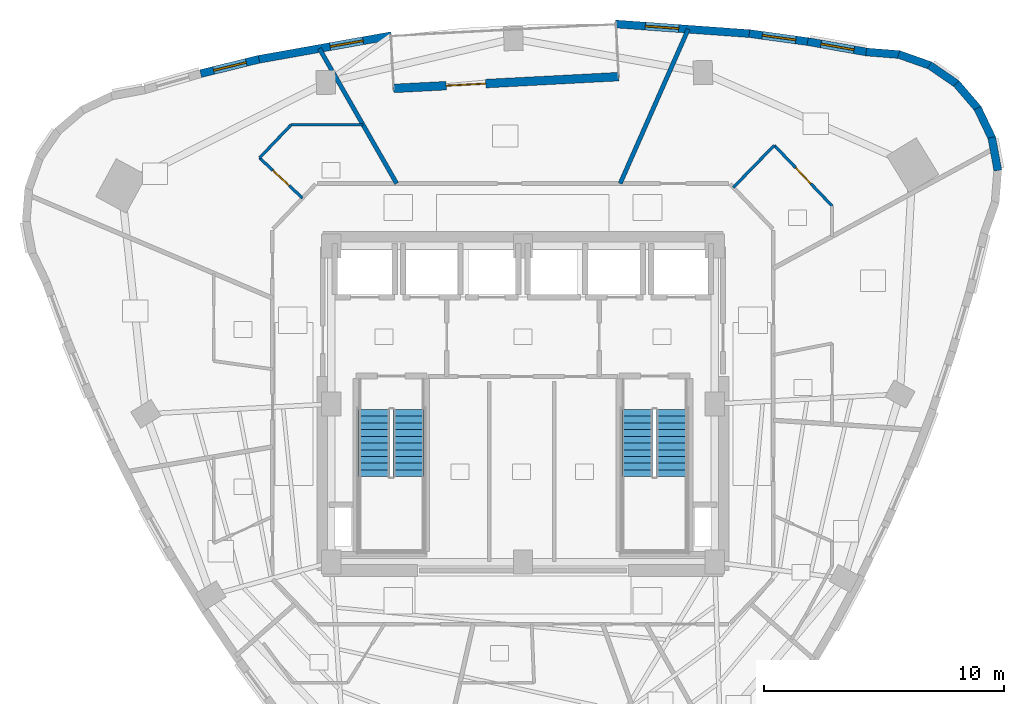
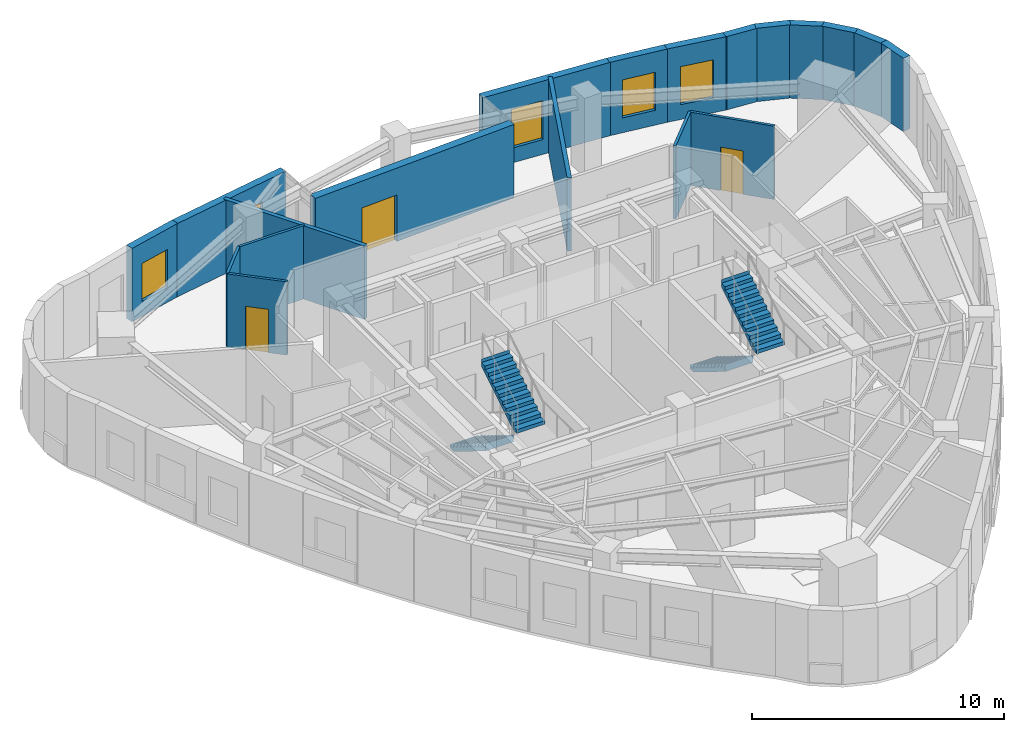
# One storey, part 8 of 11: 19 walls, 5 windows, 4 stair flights, 3 doors, 8 openings, 2 elements without a shape of their own.
"""IFC4 building model written with IfcOpenShell, lengths in metres."""

from ifc_helpers import new_model, si_unit, direction, frame, frame_2d, origin, place, context, subcontext, project, spatial, polyline, rectangle, outline, extrude, material, layer, layer_set, type_object, element, fill, aggregate, save


model = new_model("IFC4")

# Units and contexts
model_context = context("Model", 3, precision=1e-05, world=origin(), true_north=direction((0.0, 1.0)))
body_context = subcontext(model_context, "Body", "Model", "MODEL_VIEW")
ifc_project = project(units=[si_unit("LENGTHUNIT", "METRE"), si_unit("AREAUNIT", "SQUARE_METRE"), si_unit("VOLUMEUNIT", "CUBIC_METRE"), si_unit("PLANEANGLEUNIT", "RADIAN"), si_unit("MASSUNIT", "GRAM", prefix="KILO")], contexts=[model_context])

# Site, building, storey
site_placement = place(None, origin())
site = spatial("IfcSite", under=ifc_project, at=site_placement, CompositionType="ELEMENT")
building_placement = place(site_placement, origin())
building = spatial("IfcBuilding", under=site, at=building_placement, Name="Ndelora Gate Hotel", CompositionType="ELEMENT")
storey_placement = place(building_placement, frame((0.0, 0.0, 216.949951171875)))
storey = spatial("IfcBuildingStorey", under=building, at=storey_placement, Name="L54", CompositionType="ELEMENT", Elevation=216.949951171875)

# Walls
ifc_material_1 = material(Name="Acoustic Double-Stud Gypsum Assembly", Category="gypsum")
ifc_layer_1 = layer(ifc_material_1, 0.179931640625)
ifc_layer_set_1 = layer_set([ifc_layer_1], Name="Acoustic Double-Stud Gypsum Assembly")
wall_type_1 = type_object("IfcWallType", Name="WL-ACOUST-180", PredefinedType="PARTITIONING", material=ifc_layer_set_1)
wall_1_placement = place(storey_placement, frame((4.056884765625, 9.199951171875, 0.0), z_axis=(0.0, 0.0, 1.0), x_axis=(0.403480435419, 0.914988272184, 0.0)))
element("IfcWall", 1, at=wall_1_placement, inside=storey, type_object=wall_type_1, Name="L54 Interior Wall IW-3", PredefinedType="PARTITIONING", context=body_context, shape_type="SweptSolid", body=[
    extrude(rectangle(XDim=7.035400390625, YDim=0.179931640625, at=frame_2d((3.517578125, 0.0))), origin(), (0.0, 0.0, 1.0), 3.550048828125),
])
wall_2_placement = place(storey_placement, frame((-5.26806640625, 9.199951171875, 0.0), z_axis=(0.0, 0.0, 1.0), x_axis=(-0.496920769896, 0.867795914052, 0.0)))
element("IfcWall", 2, at=wall_2_placement, inside=storey, type_object=wall_type_1, Name="L54 Interior Wall IW-3", PredefinedType="PARTITIONING", context=body_context, shape_type="SweptSolid", body=[
    extrude(rectangle(XDim=6.48876953125, YDim=0.179931640625, at=frame_2d((3.244384765625, 0.0))), origin(), (0.0, 0.0, 1.0), 3.550048828125),
])
ifc_material_2 = material(Name="Clay Brick Masonry", Category="masonry")
ifc_layer_2 = layer(ifc_material_2, 0.330078125)
ifc_layer_set_2 = layer_set([ifc_layer_2], Name="Clay Brick Masonry")
wall_type_2 = type_object("IfcWallType", Name="WL-BRICK-330", PredefinedType="SOLIDWALL", material=ifc_layer_set_2)
for number, where, z_axis, x_axis, name in (
    (3, (19.5576171875, 11.12353515625, 0.0), (0.0, 0.0, 1.0), (0.182319094132, -0.983239415359, 0.0), "L54 Tower Brick Pier-and-Spandrel Wall TWR-43"),
    (4, (18.966796875, 12.3466796875, 0.0), (0.0, 0.0, 1.0), (0.430694266873, -0.902497893894, 0.0), "L54 Tower Brick Pier-and-Spandrel Wall TWR-44"),
    (5, (18.079833984375, 13.37548828125, 0.0), (0.0, 0.0, 1.0), (0.64941898982, -0.760430782952, 0.0), "L54 Tower Brick Pier-and-Spandrel Wall TWR-45"),
    (6, (16.956787109375, 14.1396484375, 0.0), (0.0, 0.0, 1.0), (0.824067227947, -0.566492015675, 0.0), "L54 Tower Brick Pier-and-Spandrel Wall TWR-46"),
):
    element("IfcWall", number, at=place(storey_placement, frame(where, z_axis=z_axis, x_axis=x_axis)), inside=storey, type_object=wall_type_2, Name=name, PredefinedType="SOLIDWALL", context=body_context, shape_type="SweptSolid", body=[
        extrude(rectangle(XDim=1.407470703125, YDim=0.330078125, at=frame_2d((0.70361328125, 0.0))), origin(), (0.0, 0.0, 1.0), 3.550048828125),
    ])
wall_3_placement = place(storey_placement, frame((15.674072265625, 14.5869140625, 0.0), z_axis=(0.0, 0.0, 1.0), x_axis=(0.942676111555, -0.333709077945, 0.0)))
element("IfcWall", 7, at=wall_3_placement, inside=storey, type_object=wall_type_2, Name="L54 Tower Brick Pier-and-Spandrel Wall TWR-47", PredefinedType="SOLIDWALL", context=body_context, shape_type="SweptSolid", body=[
    extrude(rectangle(XDim=1.40771484375, YDim=0.330078125, at=frame_2d((0.703857421875, 0.0))), origin(), (0.0, 0.0, 1.0), 3.550048828125),
])
wall_4_placement = place(storey_placement, frame((14.319580078125, 14.68701171875, 0.0), z_axis=(0.0, 0.0, 1.0), x_axis=(0.996907811278, -0.07857999626, 0.0)))
element("IfcWall", 8, at=wall_4_placement, inside=storey, type_object=wall_type_2, Name="L54 Tower Brick Pier-and-Spandrel Wall TWR-48", PredefinedType="SOLIDWALL", context=body_context, shape_type="SweptSolid", body=[
    extrude(rectangle(XDim=1.407470703125, YDim=0.330078125, at=frame_2d((0.70361328125, 0.0))), origin(), (0.0, 0.0, 1.0), 3.550048828125),
])

# Wall, opening, window
wall_5_placement = place(storey_placement, frame((11.87890625, 15.12158203125, 0.0), z_axis=(0.0, 0.0, 1.0), x_axis=(0.984681334456, -0.174363613102, 0.0)))
wall_5 = element("IfcWall", 9, at=wall_5_placement, inside=storey, type_object=wall_type_2, Name="L54 Tower Brick Pier-and-Spandrel Wall TWR-49", PredefinedType="SOLIDWALL", context=body_context, shape_type="SweptSolid", body=[
    extrude(rectangle(XDim=2.52880859375, YDim=0.330078125, at=frame_2d((1.264404296875, 0.0))), origin(), (0.0, 0.0, 1.0), 3.550048828125),
])
opening_1_placement = place(wall_5_placement, frame((0.564453125, 0.0, 0.719970703125)))
opening_1 = element("IfcOpeningElement", 10, at=opening_1_placement, cuts=wall_5, Name="Opening W02", PredefinedType="OPENING", context=body_context, shape_type="SweptSolid", body=[
    extrude(rectangle(XDim=1.39990234375, YDim=1.840087890625, at=frame_2d((0.699951171875, 0.919921875))), frame((0.0, 0.175048828125, 0.0), z_axis=(0.0, -1.0, 0.0), x_axis=(1.0, 0.0, 0.0)), (0.0, 0.0, 1.0), 0.35009765625),
])
ifc_material_3 = material(Name="Insulated Low-E Double Glazing in Bronze Aluminium Frame", Category="aluminium")
window_type = type_object("IfcWindowType", Name="WN-DEEP-1400", PartitioningType="SINGLE_PANEL", PredefinedType="WINDOW", material=ifc_material_3)
window_1_placement = place(opening_1_placement, origin())
window_1 = element("IfcWindow", 11, at=window_1_placement, inside=storey, type_object=window_type, Name="L54 Deep-Set Brick-Pier Window W02", OverallHeight=1.840087890625, OverallWidth=1.39990234375, PartitioningType="SINGLE_PANEL", PredefinedType="WINDOW", context=body_context, shape_type="SweptSolid", body=[
    extrude(rectangle(XDim=1.39990234375, YDim=1.840087890625, at=frame_2d((0.699951171875, 0.919921875))), frame((0.0, 0.030029296875, 0.0), z_axis=(0.0, -1.0, 0.0), x_axis=(1.0, 0.0, 0.0)), (0.0, 0.0, 1.0), 0.06005859375),
])
fill(opening_1, window_1)

wall_6_placement = place(storey_placement, frame((9.44287109375, 15.455810546875, 0.0), z_axis=(0.0, 0.0, 1.0), x_axis=(0.990662417066, -0.136337725571, 0.0)))
wall_6 = element("IfcWall", 12, at=wall_6_placement, inside=storey, type_object=wall_type_2, Name="L54 Tower Brick Pier-and-Spandrel Wall TWR-50", PredefinedType="SOLIDWALL", context=body_context, shape_type="SweptSolid", body=[
    extrude(rectangle(XDim=2.5087890625, YDim=0.330078125, at=frame_2d((1.25439453125, 0.0))), origin(), (0.0, 0.0, 1.0), 3.550048828125),
])
opening_2_placement = place(wall_6_placement, frame((0.554443359375, 0.0, 0.719970703125)))
opening_2 = element("IfcOpeningElement", 13, at=opening_2_placement, cuts=wall_6, Name="Opening W02", PredefinedType="OPENING", context=body_context, shape_type="SweptSolid", body=[
    extrude(rectangle(XDim=1.39990234375, YDim=1.840087890625, at=frame_2d((0.699951171875, 0.919921875))), frame((0.0, 0.175048828125, 0.0), z_axis=(0.0, -1.0, 0.0), x_axis=(1.0, 0.0, 0.0)), (0.0, 0.0, 1.0), 0.35009765625),
])
window_2_placement = place(opening_2_placement, origin())
window_2 = element("IfcWindow", 14, at=window_2_placement, inside=storey, type_object=window_type, Name="L54 Deep-Set Brick-Pier Window W02", OverallHeight=1.840087890625, OverallWidth=1.39990234375, PartitioningType="SINGLE_PANEL", PredefinedType="WINDOW", context=body_context, shape_type="SweptSolid", body=[
    extrude(rectangle(XDim=1.39990234375, YDim=1.840087890625, at=frame_2d((0.699951171875, 0.919921875))), frame((0.0, 0.030029296875, 0.0), z_axis=(0.0, -1.0, 0.0), x_axis=(1.0, 0.0, 0.0)), (0.0, 0.0, 1.0), 0.06005859375),
])
fill(opening_2, window_2)

wall_7_placement = place(storey_placement, frame((3.8505859375, 15.856201171875, 0.0), z_axis=(0.0, 0.0, 1.0), x_axis=(0.997423966596, -0.071731658697, 0.0)))
wall_7 = element("IfcWall", 15, at=wall_7_placement, inside=storey, type_object=wall_type_2, Name="L54 Tower Brick Pier-and-Spandrel Wall TWR-51", PredefinedType="SOLIDWALL", context=body_context, shape_type="SweptSolid", body=[
    extrude(rectangle(XDim=5.65673828125, YDim=0.330078125, at=frame_2d((2.828369140625, 0.0))), origin(), (0.0, 0.0, 1.0), 3.550048828125),
])
opening_3_placement = place(wall_7_placement, frame((1.260009765625, 0.0, 0.719970703125)))
opening_3 = element("IfcOpeningElement", 16, at=opening_3_placement, cuts=wall_7, Name="Opening W02", PredefinedType="OPENING", context=body_context, shape_type="SweptSolid", body=[
    extrude(rectangle(XDim=1.39990234375, YDim=1.8798828125, at=frame_2d((0.699951171875, 0.93994140625))), frame((0.0, 0.175048828125, 0.0), z_axis=(0.0, -1.0, 0.0), x_axis=(1.0, 0.0, 0.0)), (0.0, 0.0, 1.0), 0.35009765625),
])
window_3_placement = place(opening_3_placement, origin())
window_3 = element("IfcWindow", 17, at=window_3_placement, inside=storey, type_object=window_type, Name="L54 Deep-Set Brick-Pier Window W02", OverallHeight=1.8798828125, OverallWidth=1.39990234375, PartitioningType="SINGLE_PANEL", PredefinedType="WINDOW", context=body_context, shape_type="SweptSolid", body=[
    extrude(rectangle(XDim=1.39990234375, YDim=1.8798828125, at=frame_2d((0.699951171875, 0.93994140625))), frame((0.0, 0.030029296875, 0.0), z_axis=(0.0, -1.0, 0.0), x_axis=(1.0, 0.0, 0.0)), (0.0, 0.0, 1.0), 0.06005859375),
])
fill(opening_3, window_3)

wall_8_placement = place(storey_placement, frame((-11.0556640625, 14.37353515625, 0.0), z_axis=(0.0, 0.0, 1.0), x_axis=(0.984457704332, 0.17562183344, 0.0)))
wall_8 = element("IfcWall", 18, at=wall_8_placement, inside=storey, type_object=wall_type_2, Name="L54 Tower Brick Pier-and-Spandrel Wall TWR-56", PredefinedType="SOLIDWALL", context=body_context, shape_type="SweptSolid", body=[
    extrude(rectangle(XDim=5.656494140625, YDim=0.330078125, at=frame_2d((2.828125, 0.0))), origin(), (0.0, 0.0, 1.0), 3.550048828125),
])
opening_4_placement = place(wall_8_placement, frame((3.06005859375, 0.0, 0.719970703125)))
opening_4 = element("IfcOpeningElement", 19, at=opening_4_placement, cuts=wall_8, Name="Opening W02", PredefinedType="OPENING", context=body_context, shape_type="SweptSolid", body=[
    extrude(rectangle(XDim=1.39990234375, YDim=1.8798828125, at=frame_2d((0.699951171875, 0.93994140625))), frame((0.0, 0.175048828125, 0.0), z_axis=(0.0, -1.0, 0.0), x_axis=(1.0, 0.0, 0.0)), (0.0, 0.0, 1.0), 0.35009765625),
])
window_4_placement = place(opening_4_placement, origin())
window_4 = element("IfcWindow", 20, at=window_4_placement, inside=storey, type_object=window_type, Name="L54 Deep-Set Brick-Pier Window W02", OverallHeight=1.8798828125, OverallWidth=1.39990234375, PartitioningType="SINGLE_PANEL", PredefinedType="WINDOW", context=body_context, shape_type="SweptSolid", body=[
    extrude(rectangle(XDim=1.39990234375, YDim=1.8798828125, at=frame_2d((0.699951171875, 0.93994140625))), frame((0.0, 0.030029296875, 0.0), z_axis=(0.0, -1.0, 0.0), x_axis=(1.0, 0.0, 0.0)), (0.0, 0.0, 1.0), 0.06005859375),
])
fill(opening_4, window_4)

wall_9_placement = place(storey_placement, frame((-13.44287109375, 13.7841796875, 0.0), z_axis=(0.0, 0.0, 1.0), x_axis=(0.970995069754, 0.239099507555, 0.0)))
wall_9 = element("IfcWall", 21, at=wall_9_placement, inside=storey, type_object=wall_type_2, Name="L54 Tower Brick Pier-and-Spandrel Wall TWR-57", PredefinedType="SOLIDWALL", context=body_context, shape_type="SweptSolid", body=[
    extrude(rectangle(XDim=2.5087890625, YDim=0.330078125, at=frame_2d((1.25439453125, 0.0))), origin(), (0.0, 0.0, 1.0), 3.550048828125),
])
opening_5_placement = place(wall_9_placement, frame((0.554443359375, 0.0, 0.719970703125)))
opening_5 = element("IfcOpeningElement", 22, at=opening_5_placement, cuts=wall_9, Name="Opening W02", PredefinedType="OPENING", context=body_context, shape_type="SweptSolid", body=[
    extrude(rectangle(XDim=1.39990234375, YDim=1.840087890625, at=frame_2d((0.699951171875, 0.919921875))), frame((0.0, 0.175048828125, 0.0), z_axis=(0.0, -1.0, 0.0), x_axis=(1.0, 0.0, 0.0)), (0.0, 0.0, 1.0), 0.35009765625),
])
window_5_placement = place(opening_5_placement, origin())
window_5 = element("IfcWindow", 23, at=window_5_placement, inside=storey, type_object=window_type, Name="L54 Deep-Set Brick-Pier Window W02", OverallHeight=1.840087890625, OverallWidth=1.39990234375, PartitioningType="SINGLE_PANEL", PredefinedType="WINDOW", context=body_context, shape_type="SweptSolid", body=[
    extrude(rectangle(XDim=1.39990234375, YDim=1.840087890625, at=frame_2d((0.699951171875, 0.919921875))), frame((0.0, 0.030029296875, 0.0), z_axis=(0.0, -1.0, 0.0), x_axis=(1.0, 0.0, 0.0)), (0.0, 0.0, 1.0), 0.06005859375),
])
fill(opening_5, window_5)

# Wall, opening, door
ifc_layer_3 = layer(ifc_material_2, 0.360107421875)
ifc_layer_set_3 = layer_set([ifc_layer_3], Name="Clay Brick Masonry")
wall_type_3 = type_object("IfcWallType", Name="WL-BRICK-360", PredefinedType="SOLIDWALL", material=ifc_layer_set_3)
wall_10_placement = place(storey_placement, frame((-5.396484375, 13.16552734375, 0.0), z_axis=(0.0, 0.0, 1.0), x_axis=(0.998629642142, 0.052333907124, 0.0)))
wall_10 = element("IfcWall", 24, at=wall_10_placement, inside=storey, type_object=wall_type_3, Name="L54 Sky-Garden Loggia Rear Brick Wall", PredefinedType="SOLIDWALL", context=body_context, shape_type="SweptSolid", body=[
    extrude(rectangle(XDim=9.400146484375, YDim=0.360107421875, at=frame_2d((4.7001953125, 0.0))), origin(), (0.0, 0.0, 1.0), 3.550048828125),
])
opening_6_placement = place(wall_10_placement, frame((2.199951171875, 0.0, 0.0)))
opening_6 = element("IfcOpeningElement", 25, at=opening_6_placement, cuts=wall_10, Name="Opening TD1", PredefinedType="OPENING", context=body_context, shape_type="SweptSolid", body=[
    extrude(rectangle(XDim=1.64990234375, YDim=2.25, at=frame_2d((0.824951171875, 1.125))), frame((0.0, 0.18994140625, 0.0), z_axis=(0.0, -1.0, 0.0), x_axis=(1.0, 0.0, 0.0)), (0.0, 0.0, 1.0), 0.380126953125),
])
ifc_material_4 = material(Name="Architectural Bronze Glazed Door", Category="metal")
door_type_1 = type_object("IfcDoorType", Name="DR-TER-1650", OperationType="DOUBLE_DOOR_SINGLE_SWING", PredefinedType="DOOR", material=ifc_material_4)
door_1_placement = place(opening_6_placement, origin())
door_1 = element("IfcDoor", 26, at=door_1_placement, inside=storey, type_object=door_type_1, Name="L54 Sky-Garden Terrace Double Door TD1", OperationType="DOUBLE_DOOR_SINGLE_SWING", OverallHeight=2.25, OverallWidth=1.64990234375, PredefinedType="DOOR", context=body_context, shape_type="SweptSolid", body=[
    extrude(rectangle(XDim=1.64990234375, YDim=2.25, at=frame_2d((0.824951171875, 1.125))), frame((0.0, 0.02490234375, 0.0), z_axis=(0.0, -1.0, 0.0), x_axis=(1.0, 0.0, 0.0)), (0.0, 0.0, 1.0), 0.050048828125),
])
fill(opening_6, door_1)

# Wall
ifc_material_5 = material(Name="Moisture-Resistant Bathroom Tile Partition", Category="gypsum")
ifc_layer_4 = layer(ifc_material_5, 0.1201171875)
ifc_layer_set_4 = layer_set([ifc_layer_4], Name="Moisture-Resistant Bathroom Tile Partition")
wall_type_4 = type_object("IfcWallType", Name="WL-WET-120", PredefinedType="PARTITIONING", material=ifc_layer_set_4)
wall_11_placement = place(storey_placement, frame((10.486572265625, 10.79248046875, 0.0), z_axis=(0.0, 0.0, 1.0), x_axis=(-0.696876436114, -0.717191210759, 0.0)))
element("IfcWall", 27, at=wall_11_placement, inside=storey, type_object=wall_type_4, Name="L54 Interior Wall IW-7", PredefinedType="PARTITIONING", context=body_context, shape_type="SweptSolid", body=[
    extrude(rectangle(XDim=2.45166015625, YDim=0.1201171875, at=frame_2d((1.225830078125, 0.0))), origin(), (0.0, 0.0, 1.0), 3.550048828125),
])

# Wall, opening, door
wall_12_placement = place(storey_placement, frame((10.486572265625, 10.79248046875, 0.0), z_axis=(0.0, 0.0, 1.0), x_axis=(0.689942688038, -0.723863997739, 0.0)))
wall_12 = element("IfcWall", 28, at=wall_12_placement, inside=storey, type_object=wall_type_4, Name="L54 Interior Wall IW-7", PredefinedType="PARTITIONING", context=body_context, shape_type="SweptSolid", body=[
    extrude(rectangle(XDim=3.497802734375, YDim=0.1201171875, at=frame_2d((1.7490234375, 0.0))), origin(), (0.0, 0.0, 1.0), 3.550048828125),
])
opening_7_placement = place(wall_12_placement, frame((1.2890625, 0.0, 0.0)))
opening_7 = element("IfcOpeningElement", 29, at=opening_7_placement, cuts=wall_12, Name="Opening D03", PredefinedType="OPENING", context=body_context, shape_type="SweptSolid", body=[
    extrude(rectangle(XDim=0.919921875, YDim=2.10009765625, at=frame_2d((0.4599609375, 1.050048828125))), frame((0.0, 0.070068359375, 0.0), z_axis=(0.0, -1.0, 0.0), x_axis=(1.0, 0.0, 0.0)), (0.0, 0.0, 1.0), 0.14013671875),
])
ifc_material_6 = material(Name="Moisture-Resistant Hardwood En-Suite Door", Category="wood")
door_type_2 = type_object("IfcDoorType", Name="DR-BATH-920", OperationType="SINGLE_SWING_LEFT", PredefinedType="DOOR", material=ifc_material_6)
door_2_placement = place(opening_7_placement, origin())
door_2 = element("IfcDoor", 30, at=door_2_placement, inside=storey, type_object=door_type_2, Name="L54 En-suite Bathroom 5703 Door", OperationType="SINGLE_SWING_RIGHT", OverallHeight=2.10009765625, OverallWidth=0.919921875, PredefinedType="DOOR", context=body_context, shape_type="SweptSolid", body=[
    extrude(rectangle(XDim=0.919921875, YDim=2.10009765625, at=frame_2d((0.4599609375, 1.050048828125))), frame((0.0, 0.02490234375, 0.0), z_axis=(0.0, -1.0, 0.0), x_axis=(1.0, 0.0, 0.0)), (0.0, 0.0, 1.0), 0.050048828125),
])
fill(opening_7, door_2)

wall_13_placement = place(storey_placement, frame((-9.197998046875, 8.593505859375, 0.0), z_axis=(0.0, 0.0, 1.0), x_axis=(-0.730664159642, 0.682737054666, 0.0)))
wall_13 = element("IfcWall", 31, at=wall_13_placement, inside=storey, type_object=wall_type_4, Name="L54 Interior Wall IW-7", PredefinedType="PARTITIONING", context=body_context, shape_type="SweptSolid", body=[
    extrude(rectangle(XDim=2.4501953125, YDim=0.1201171875, at=frame_2d((1.22509765625, 0.0))), origin(), (0.0, 0.0, 1.0), 3.550048828125),
])
opening_8_placement = place(wall_13_placement, frame((0.76513671875, 0.0, 0.0)))
opening_8 = element("IfcOpeningElement", 32, at=opening_8_placement, cuts=wall_13, Name="Opening D03", PredefinedType="OPENING", context=body_context, shape_type="SweptSolid", body=[
    extrude(rectangle(XDim=0.919921875, YDim=2.10009765625, at=frame_2d((0.4599609375, 1.050048828125))), frame((0.0, 0.070068359375, 0.0), z_axis=(0.0, -1.0, 0.0), x_axis=(1.0, 0.0, 0.0)), (0.0, 0.0, 1.0), 0.14013671875),
])
door_3_placement = place(opening_8_placement, origin())
door_3 = element("IfcDoor", 33, at=door_3_placement, inside=storey, type_object=door_type_2, Name="L54 En-suite Bathroom 5704 Door", OperationType="SINGLE_SWING_LEFT", OverallHeight=2.10009765625, OverallWidth=0.919921875, PredefinedType="DOOR", context=body_context, shape_type="SweptSolid", body=[
    extrude(rectangle(XDim=0.919921875, YDim=2.10009765625, at=frame_2d((0.4599609375, 1.050048828125))), frame((0.0, 0.02490234375, 0.0), z_axis=(0.0, -1.0, 0.0), x_axis=(1.0, 0.0, 0.0)), (0.0, 0.0, 1.0), 0.050048828125),
])
fill(opening_8, door_3)

# Walls
wall_14_placement = place(storey_placement, frame((-10.98828125, 10.266357421875, 0.0), z_axis=(0.0, 0.0, 1.0), x_axis=(0.689980418995, 0.723828033033, 0.0)))
element("IfcWall", 34, at=wall_14_placement, inside=storey, type_object=wall_type_4, Name="L54 Interior Wall IW-7", PredefinedType="PARTITIONING", context=body_context, shape_type="SweptSolid", body=[
    extrude(rectangle(XDim=1.911376953125, YDim=0.1201171875, at=frame_2d((0.95556640625, 0.0))), origin(), (0.0, 0.0, 1.0), 3.550048828125),
])
wall_15_placement = place(storey_placement, frame((-6.6708984375, 11.64990234375, 0.0), z_axis=(0.0, 0.0, 1.0), x_axis=(-1.0, 0.0, 0.0)))
element("IfcWall", 35, at=wall_15_placement, inside=storey, type_object=wall_type_4, Name="L54 Interior Wall IW-7", PredefinedType="PARTITIONING", context=body_context, shape_type="SweptSolid", body=[
    extrude(rectangle(XDim=2.99853515625, YDim=0.1201171875, at=frame_2d((1.499267578125, 0.0))), origin(), (0.0, 0.0, 1.0), 3.550048828125),
])

# Stair, stair flights
ifc_material_7 = material(Name="Precast concrete C40/50", Category="concrete")
stair_type = type_object("IfcStairType", Name="STR-DOG-CORE", PredefinedType="HALF_TURN_STAIR", material=ifc_material_7)
stair_1_placement = place(storey_placement, origin())
stair_1 = element("IfcStair", 36, at=stair_1_placement, inside=storey, type_object=stair_type, Name="L54 Protected Core Exit Stair ST4", PredefinedType="HALF_TURN_STAIR")
stair_flight_type = type_object("IfcStairFlightType", Name="STF-PRECAST", PredefinedType="STRAIGHT", material=ifc_material_7)
stair_flight_1_placement = place(storey_placement, frame((-6.2099609375, -0.22998046875, 0.0), z_axis=(0.0, 0.0, 1.0), x_axis=(0.0, -1.0, 0.0)))
stair_flight_1 = element("IfcStairFlight", 37, at=stair_flight_1_placement, type_object=stair_flight_type, Name="ST4 flight 1", NumberOfRisers=11, NumberOfTreads=10, PredefinedType="STRAIGHT", RiserHeight=0.172727273, TreadLength=0.28, context=body_context, shape_type="SweptSolid", body=[
    extrude(outline(polyline([(-0.00048828125, 0.0), (-0.00048828125, 0.172607421875), (0.0, 0.172607421875), (0.280029296875, 0.172607421875), (0.280029296875, 0.345458984375), (0.56005859375, 0.345458984375), (0.56005859375, 0.51806640625), (0.840087890625, 0.51806640625), (0.840087890625, 0.69091796875), (1.1201171875, 0.69091796875), (1.1201171875, 0.863525390625), (1.39990234375, 0.863525390625), (1.39990234375, 1.036376953125), (1.679931640625, 1.036376953125), (1.679931640625, 1.208984375), (1.9599609375, 1.208984375), (1.9599609375, 1.3818359375), (2.239990234375, 1.3818359375), (2.239990234375, 1.554443359375), (2.52001953125, 1.554443359375), (2.52001953125, 1.727294921875), (2.800048828125, 1.727294921875), (2.800048828125, 1.89990234375), (2.800537109375, 1.89990234375), (2.800537109375, 1.719970703125), (2.800048828125, 1.551025390625), (0.285400390625, 0.0), (-0.00048828125, 0.0)])), frame((0.0, 0.64013671875, 0.0), z_axis=(0.0, -1.0, 0.0), x_axis=(1.0, 0.0, 0.0)), (0.0, 0.0, 1.0), 1.280029296875),
])
stair_flight_2_placement = place(storey_placement, frame((-4.77001953125, -3.030029296875, 1.900146484375), z_axis=(0.0, 0.0, 1.0), x_axis=(0.0, 1.0, 0.0)))
stair_flight_2 = element("IfcStairFlight", 38, at=stair_flight_2_placement, type_object=stair_flight_type, Name="ST4 flight 2", NumberOfRisers=11, NumberOfTreads=10, PredefinedType="STRAIGHT", RiserHeight=0.172727273, TreadLength=0.28, context=body_context, shape_type="SweptSolid", body=[
    extrude(outline(polyline([(-0.00048828125, 0.0), (-0.00048828125, 0.172607421875), (0.0, 0.172607421875), (0.280029296875, 0.172607421875), (0.280029296875, 0.345458984375), (0.56005859375, 0.345458984375), (0.56005859375, 0.51806640625), (0.840087890625, 0.51806640625), (0.840087890625, 0.69091796875), (1.1201171875, 0.69091796875), (1.1201171875, 0.863525390625), (1.39990234375, 0.863525390625), (1.39990234375, 1.036376953125), (1.679931640625, 1.036376953125), (1.679931640625, 1.208984375), (1.9599609375, 1.208984375), (1.9599609375, 1.3818359375), (2.239990234375, 1.3818359375), (2.239990234375, 1.554443359375), (2.52001953125, 1.554443359375), (2.52001953125, 1.727294921875), (2.800048828125, 1.727294921875), (2.800048828125, 1.89990234375), (2.800537109375, 1.89990234375), (2.800537109375, 1.719970703125), (2.800048828125, 1.551025390625), (0.285400390625, 0.0), (-0.00048828125, 0.0)])), frame((0.0, 0.64013671875, 0.0), z_axis=(0.0, -1.0, 0.0), x_axis=(1.0, 0.0, 0.0)), (0.0, 0.0, 1.0), 1.280029296875),
])
aggregate(stair_1, [stair_flight_1, stair_flight_2])

stair_2_placement = place(storey_placement, origin())
stair_2 = element("IfcStair", 39, at=stair_2_placement, inside=storey, type_object=stair_type, Name="L54 Protected Core Exit Stair ST5", PredefinedType="HALF_TURN_STAIR")
stair_flight_3_placement = place(storey_placement, frame((4.77001953125, -0.22998046875, 0.0), z_axis=(0.0, 0.0, 1.0), x_axis=(0.0, -1.0, 0.0)))
stair_flight_3 = element("IfcStairFlight", 40, at=stair_flight_3_placement, type_object=stair_flight_type, Name="ST5 flight 1", NumberOfRisers=11, NumberOfTreads=10, PredefinedType="STRAIGHT", RiserHeight=0.172727273, TreadLength=0.28, context=body_context, shape_type="SweptSolid", body=[
    extrude(outline(polyline([(-0.00048828125, 0.0), (-0.00048828125, 0.172607421875), (0.0, 0.172607421875), (0.280029296875, 0.172607421875), (0.280029296875, 0.345458984375), (0.56005859375, 0.345458984375), (0.56005859375, 0.51806640625), (0.840087890625, 0.51806640625), (0.840087890625, 0.69091796875), (1.1201171875, 0.69091796875), (1.1201171875, 0.863525390625), (1.39990234375, 0.863525390625), (1.39990234375, 1.036376953125), (1.679931640625, 1.036376953125), (1.679931640625, 1.208984375), (1.9599609375, 1.208984375), (1.9599609375, 1.3818359375), (2.239990234375, 1.3818359375), (2.239990234375, 1.554443359375), (2.52001953125, 1.554443359375), (2.52001953125, 1.727294921875), (2.800048828125, 1.727294921875), (2.800048828125, 1.89990234375), (2.800537109375, 1.89990234375), (2.800537109375, 1.719970703125), (2.800048828125, 1.551025390625), (0.285400390625, 0.0), (-0.00048828125, 0.0)])), frame((0.0, 0.64013671875, 0.0), z_axis=(0.0, -1.0, 0.0), x_axis=(1.0, 0.0, 0.0)), (0.0, 0.0, 1.0), 1.280029296875),
])
stair_flight_4_placement = place(storey_placement, frame((6.2099609375, -3.030029296875, 1.900146484375), z_axis=(0.0, 0.0, 1.0), x_axis=(0.0, 1.0, 0.0)))
stair_flight_4 = element("IfcStairFlight", 41, at=stair_flight_4_placement, type_object=stair_flight_type, Name="ST5 flight 2", NumberOfRisers=11, NumberOfTreads=10, PredefinedType="STRAIGHT", RiserHeight=0.172727273, TreadLength=0.28, context=body_context, shape_type="SweptSolid", body=[
    extrude(outline(polyline([(-0.00048828125, 0.0), (-0.00048828125, 0.172607421875), (0.0, 0.172607421875), (0.280029296875, 0.172607421875), (0.280029296875, 0.345458984375), (0.56005859375, 0.345458984375), (0.56005859375, 0.51806640625), (0.840087890625, 0.51806640625), (0.840087890625, 0.69091796875), (1.1201171875, 0.69091796875), (1.1201171875, 0.863525390625), (1.39990234375, 0.863525390625), (1.39990234375, 1.036376953125), (1.679931640625, 1.036376953125), (1.679931640625, 1.208984375), (1.9599609375, 1.208984375), (1.9599609375, 1.3818359375), (2.239990234375, 1.3818359375), (2.239990234375, 1.554443359375), (2.52001953125, 1.554443359375), (2.52001953125, 1.727294921875), (2.800048828125, 1.727294921875), (2.800048828125, 1.89990234375), (2.800537109375, 1.89990234375), (2.800537109375, 1.719970703125), (2.800048828125, 1.551025390625), (0.285400390625, 0.0), (-0.00048828125, 0.0)])), frame((0.0, 0.64013671875, 0.0), z_axis=(0.0, -1.0, 0.0), x_axis=(1.0, 0.0, 0.0)), (0.0, 0.0, 1.0), 1.280029296875),
])
aggregate(stair_2, [stair_flight_3, stair_flight_4])

save(model, "model.ifc")
